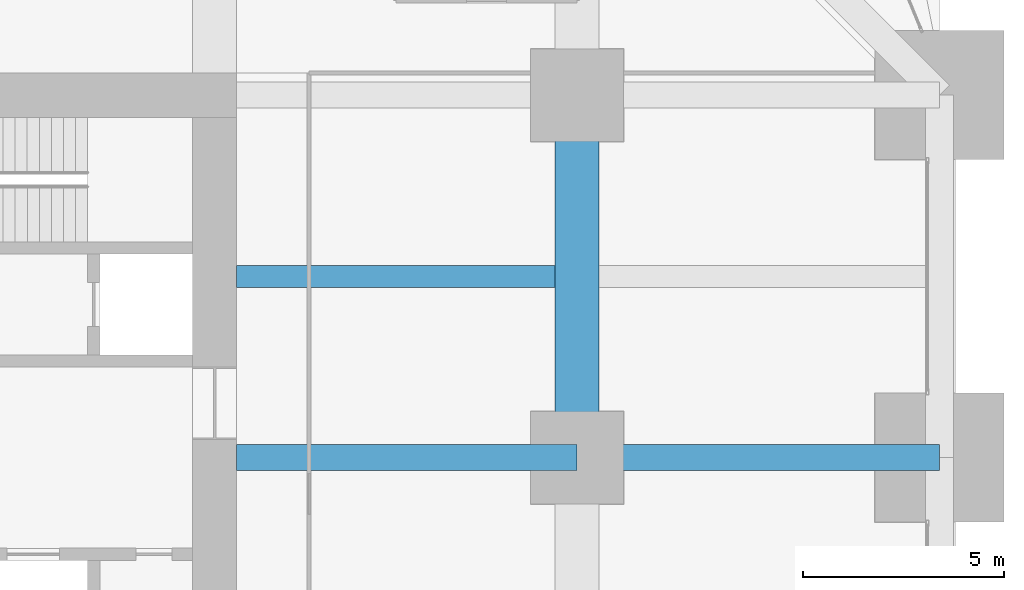
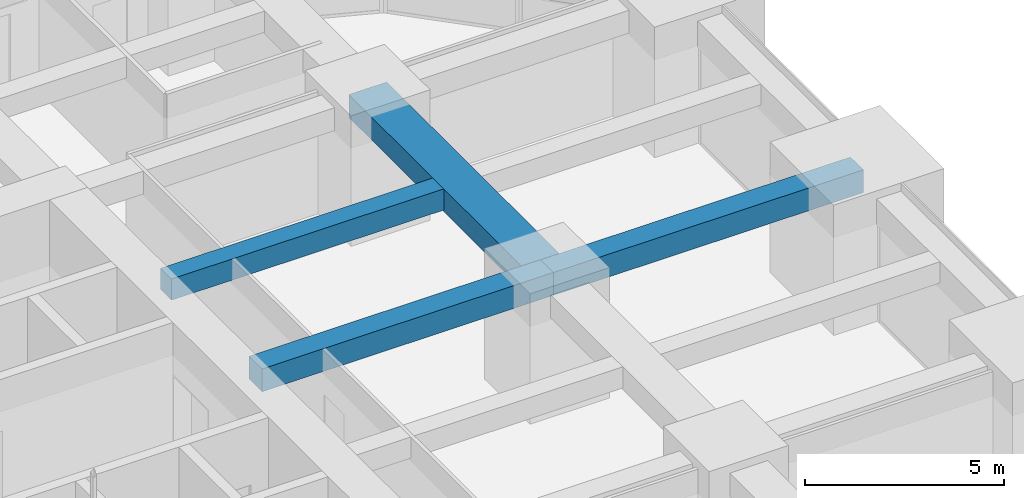
# One storey, part 22 of 50: 4 beams.
"""IFC4 building model written with IfcOpenShell, lengths in metres."""

from ifc_helpers import new_model, si_unit, direction, frame, origin, origin_2d, place, context, subcontext, project, spatial, rectangle, extrude, material, material_profile, profile_set, type_object, element, save


model = new_model("IFC4")

# Units and contexts
model_context = context("Model", 3, precision=1e-05, world=origin(), true_north=direction((0.0, 1.0)))
body_context = subcontext(model_context, "Body", "Model", "MODEL_VIEW")
ifc_project = project(units=[si_unit("LENGTHUNIT", "METRE"), si_unit("AREAUNIT", "SQUARE_METRE"), si_unit("VOLUMEUNIT", "CUBIC_METRE"), si_unit("PLANEANGLEUNIT", "RADIAN"), si_unit("MASSUNIT", "GRAM", prefix="KILO")], contexts=[model_context])

# Site, building, storey
site_placement = place(None, origin())
site = spatial("IfcSite", under=ifc_project, at=site_placement, CompositionType="ELEMENT")
building_placement = place(site_placement, origin())
building = spatial("IfcBuilding", under=site, at=building_placement, Name="Zorevar Civic Tower", CompositionType="ELEMENT")
storey_placement = place(building_placement, frame((0.0, 0.0, 85.0)))
storey = spatial("IfcBuildingStorey", under=building, at=storey_placement, Name="L20", CompositionType="ELEMENT", Elevation=85.0)

# Beams
ifc_material_1 = material(Name="Concrete C50/60", Category="concrete")
ifc_material_profile_1 = material_profile(ifc_material_1, rectangle(XDim=1.10009765625, YDim=0.699951171875, at=origin_2d()), Name="RC 1100x700")
ifc_profile_set_1 = profile_set([ifc_material_profile_1], Name="Concrete C50/60")
beam_type_1 = type_object("IfcBeamType", Name="Beam RC 1100x700", PredefinedType="BEAM", material=ifc_profile_set_1)
beam_1_placement = place(storey_placement, frame((54.0, 27.0, 3.39990234375), z_axis=(0.0, 1.0, 0.0), x_axis=(-1.0, 0.0, 0.0)))
element("IfcBeam", 1, at=beam_1_placement, inside=storey, type_object=beam_type_1, Name="Girder L21", PredefinedType="BEAM", context=body_context, shape_type="SweptSolid", body=[
    extrude(rectangle(XDim=1.10009765625, YDim=0.699951171875, at=origin_2d()), origin(), (0.0, 0.0, 1.0), 9.0),
])
ifc_material_2 = material(Name="Concrete C50/60", Category="concrete")
ifc_material_profile_2 = material_profile(ifc_material_2, rectangle(XDim=0.550048828125, YDim=0.64990234375, at=origin_2d()), Name="RC 550x650")
ifc_profile_set_2 = profile_set([ifc_material_profile_2], Name="Concrete C50/60")
beam_type_2 = type_object("IfcBeamType", Name="Beam RC 550x650", PredefinedType="BEAM", material=ifc_profile_set_2)
beam_2_placement = place(storey_placement, frame((45.550048828125, 31.5, 3.425048828125), z_axis=(1.0, 0.0, 0.0), x_axis=(0.0, 1.0, 0.0)))
element("IfcBeam", 2, at=beam_2_placement, inside=storey, type_object=beam_type_2, Name="Secondary beam L21", PredefinedType="BEAM", context=body_context, shape_type="SweptSolid", body=[
    extrude(rectangle(XDim=0.550048828125, YDim=0.64990234375, at=origin_2d()), origin(), (0.0, 0.0, 1.0), 7.89990234375),
])
ifc_material_3 = material(Name="Concrete C50/60", Category="concrete")
ifc_material_profile_3 = material_profile(ifc_material_3, rectangle(XDim=0.64990234375, YDim=0.699951171875, at=origin_2d()), Name="RC 650x700")
ifc_profile_set_3 = profile_set([ifc_material_profile_3], Name="Concrete C50/60")
beam_type_3 = type_object("IfcBeamType", Name="Beam RC 650x700", PredefinedType="BEAM", material=ifc_profile_set_3)
beam_3_placement = place(storey_placement, frame((45.550048828125, 27.0, 3.39990234375), z_axis=(1.0, 0.0, 0.0), x_axis=(0.0, 1.0, 0.0)))
element("IfcBeam", 3, at=beam_3_placement, inside=storey, type_object=beam_type_3, Name="Girder L21", PredefinedType="BEAM", context=body_context, shape_type="SweptSolid", body=[
    extrude(rectangle(XDim=0.64990234375, YDim=0.699951171875, at=origin_2d()), origin(), (0.0, 0.0, 1.0), 8.449951171875),
])
beam_4_placement = place(storey_placement, frame((54.0, 27.0, 3.39990234375), z_axis=(1.0, 0.0, 0.0), x_axis=(0.0, 1.0, 0.0)))
element("IfcBeam", 4, at=beam_4_placement, inside=storey, type_object=beam_type_3, Name="Girder L21", PredefinedType="BEAM", context=body_context, shape_type="SweptSolid", body=[
    extrude(rectangle(XDim=0.64990234375, YDim=0.699951171875, at=origin_2d()), origin(), (0.0, 0.0, 1.0), 9.0),
])

save(model, "model.ifc")
